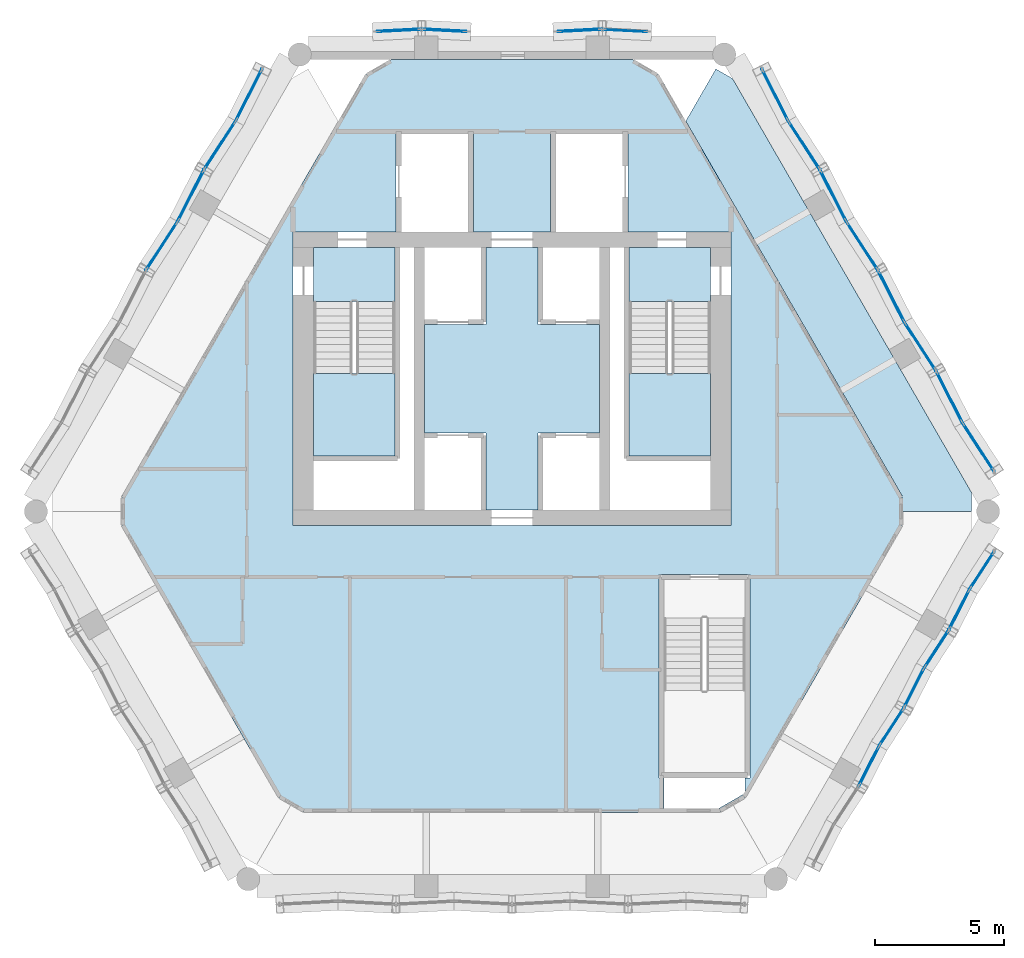
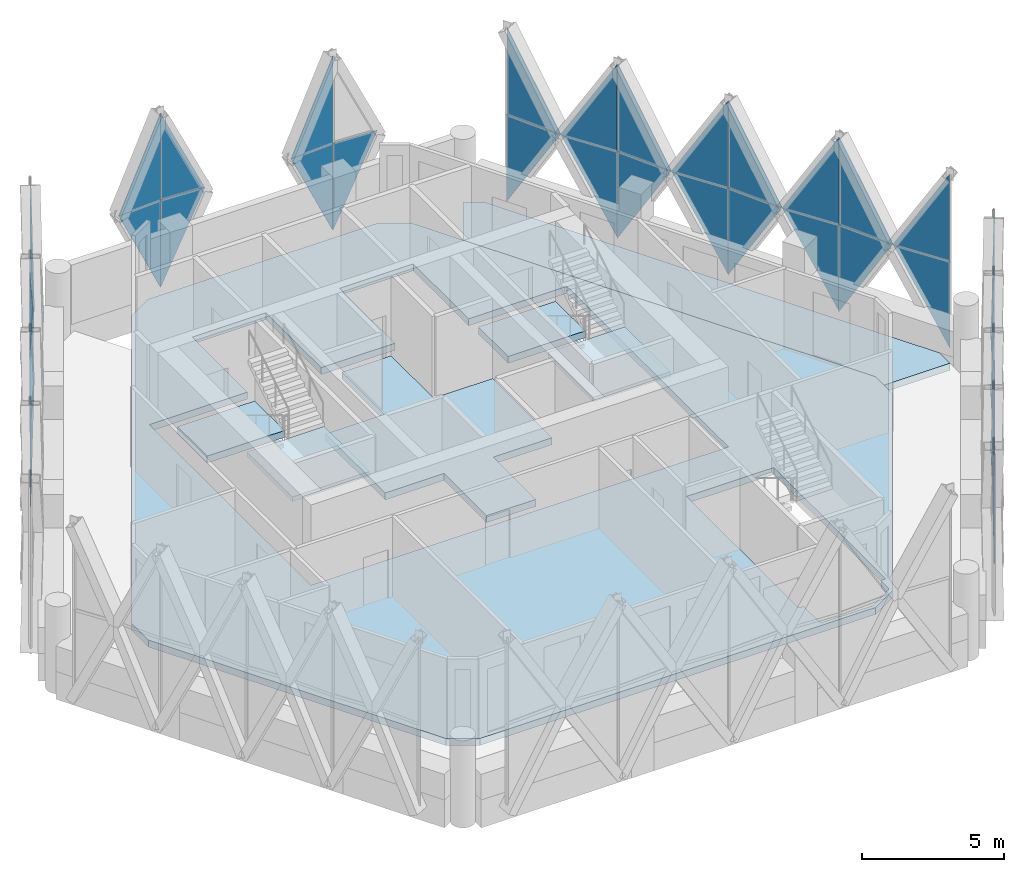
# One storey, part 17 of 27: 43 plates, 7 slabs, 18 elements without a shape of their own.
"""IFC4 building model written with IfcOpenShell, lengths in metres."""

from ifc_helpers import new_model, si_unit, direction, frame, origin, place, context, subcontext, project, spatial, polyline, outline, extrude, material, layer, layer_set, type_object, element, aggregate, save


model = new_model("IFC4")

# Units and contexts
model_context = context("Model", 3, precision=1e-05, world=origin(), true_north=direction((0.0, 1.0)))
body_context = subcontext(model_context, "Body", "Model", "MODEL_VIEW")
ifc_project = project(units=[si_unit("LENGTHUNIT", "METRE"), si_unit("AREAUNIT", "SQUARE_METRE"), si_unit("VOLUMEUNIT", "CUBIC_METRE"), si_unit("PLANEANGLEUNIT", "RADIAN"), si_unit("MASSUNIT", "GRAM", prefix="KILO")], contexts=[model_context])

# Site, building, storey
site_placement = place(None, origin())
site = spatial("IfcSite", under=ifc_project, at=site_placement, CompositionType="ELEMENT")
building_placement = place(site_placement, origin())
building = spatial("IfcBuilding", under=site, at=building_placement, Name="Ostrander Bayou Hotel Tower", CompositionType="ELEMENT")
storey_placement = place(building_placement, frame((0.0, 0.0, 267.5)))
storey = spatial("IfcBuildingStorey", under=building, at=storey_placement, Name="L66", CompositionType="ELEMENT", Elevation=267.5)

# Curtain wall, plate
ifc_material_1 = material(Name="Aluminium and clear glass", Category="aluminium")
curtain_wall_type = type_object("IfcCurtainWallType", Name="CW-LAT lattice glazing", PredefinedType="NOTDEFINED", material=ifc_material_1)
curtain_wall_1_placement = place(storey_placement, origin())
curtain_wall_1 = element("IfcCurtainWall", 1, at=curtain_wall_1_placement, inside=storey, type_object=curtain_wall_type, Name="CW-LAT L66 N 1", PredefinedType="NOTDEFINED")
ifc_material_2 = material(Name="Clear laminated glass", Category="glass")
ifc_layer_1 = layer(ifc_material_2, 0.028076171875)
ifc_layer_set_1 = layer_set([ifc_layer_1], Name="CW-LA glazing panel 28 mm")
plate_type = type_object("IfcPlateType", Name="CW-LA glazing panel 28 mm", PredefinedType="CURTAIN_PANEL", material=ifc_layer_set_1)
plate_1_placement = place(storey_placement, frame((5.262939453125, 17.47802734375, 3.14990234375), z_axis=(0.052391072232, 0.998626644723, 0.0), x_axis=(-0.423652222488, 0.022226118547, -0.905552203926)))
plate_1 = element("IfcPlate", 2, at=plate_1_placement, type_object=plate_type, Name="CW-LAT panel 1", PredefinedType="CURTAIN_PANEL", context=body_context, shape_type="SweptSolid", body=[
    extrude(outline(polyline([(0.0, 0.0), (4.141119621531983, 2.220446049250313e-16), (0.7452988568090202, 1.5908806787048353), (0.0, 0.0)])), origin(), (0.0, 0.0, -1.0), 0.028076171875),
])

curtain_wall_2_placement = place(storey_placement, origin())
curtain_wall_2 = element("IfcCurtainWall", 3, at=curtain_wall_2_placement, inside=storey, type_object=curtain_wall_type, Name="CW-LAT L66 N 3", PredefinedType="NOTDEFINED")
plate_2_placement = place(storey_placement, frame((1.75439453125, 17.47802734375, 3.14990234375), z_axis=(0.052398343942, -0.9986262632, 0.0), x_axis=(0.423603846808, 0.02222667366, -0.905574820734)))
plate_2 = element("IfcPlate", 4, at=plate_2_placement, type_object=plate_type, Name="CW-LAT panel 3", PredefinedType="CURTAIN_PANEL", context=body_context, shape_type="SweptSolid", body=[
    extrude(outline(polyline([(0.0, 0.0), (4.141016196718763, 0.0), (0.7451106189664284, 1.5906996281481265), (0.0, 0.0)])), origin(), (0.0, 0.0, -1.0), 0.028076171875),
])

curtain_wall_3_placement = place(storey_placement, origin())
curtain_wall_3 = element("IfcCurtainWall", 5, at=curtain_wall_3_placement, inside=storey, type_object=curtain_wall_type, Name="CW-LAT L66 N 4", PredefinedType="NOTDEFINED")
plate_3_placement = place(storey_placement, frame((1.75439453125, 17.47802734375, 3.14990234375), z_axis=(-0.052398343942, 0.9986262632, 0.0), x_axis=(0.423603846808, 0.02222667366, 0.905574820734)))
plate_3 = element("IfcPlate", 6, at=plate_3_placement, type_object=plate_type, Name="CW-LAT panel 4", PredefinedType="CURTAIN_PANEL", context=body_context, shape_type="SweptSolid", body=[
    extrude(outline(polyline([(0.0, 0.0), (4.141016196718763, 0.0), (0.7451106189664284, 1.5906996281481265), (0.0, 0.0)])), origin(), (0.0, 0.0, -1.0), 0.028076171875),
])

# Plate
plate_4_placement = place(storey_placement, frame((-1.75439453125, 17.47802734375, 3.14990234375), z_axis=(0.052398343942, 0.9986262632, 0.0), x_axis=(-0.423603846808, 0.02222667366, -0.905574820734)))
plate_4 = element("IfcPlate", 7, at=plate_4_placement, type_object=plate_type, Name="CW-LAT panel 5", PredefinedType="CURTAIN_PANEL", context=body_context, shape_type="SweptSolid", body=[
    extrude(outline(polyline([(0.0, 0.0), (4.141016196718763, 0.0), (0.7451106189664284, 1.5906996281481265), (0.0, 0.0)])), origin(), (0.0, 0.0, -1.0), 0.028076171875),
])

aggregate(curtain_wall_1, [plate_1, plate_4])

# Curtain wall, plate
curtain_wall_4_placement = place(storey_placement, origin())
curtain_wall_4 = element("IfcCurtainWall", 8, at=curtain_wall_4_placement, inside=storey, type_object=curtain_wall_type, Name="CW-LAT L66 N 2", PredefinedType="NOTDEFINED")
plate_5_placement = place(storey_placement, frame((-1.75439453125, 17.47802734375, 3.14990234375), z_axis=(-0.052398343942, -0.9986262632, 0.0), x_axis=(-0.423603846808, 0.02222667366, 0.905574820734)))
plate_5 = element("IfcPlate", 9, at=plate_5_placement, type_object=plate_type, Name="CW-LAT panel 6", PredefinedType="CURTAIN_PANEL", context=body_context, shape_type="SweptSolid", body=[
    extrude(outline(polyline([(0.0, 0.0), (4.141016196718763, 0.0), (0.7451106189664284, 1.5906996281481265), (0.0, 0.0)])), origin(), (0.0, 0.0, -1.0), 0.028076171875),
])
aggregate(curtain_wall_4, [plate_5])

# Plate
plate_6_placement = place(storey_placement, frame((-5.262939453125, 17.47802734375, 3.14990234375), z_axis=(0.052391072232, -0.998626644723, 0.0), x_axis=(0.423652222488, 0.022226118547, -0.905552203926)))
plate_6 = element("IfcPlate", 10, at=plate_6_placement, type_object=plate_type, Name="CW-LAT panel 7", PredefinedType="CURTAIN_PANEL", context=body_context, shape_type="SweptSolid", body=[
    extrude(outline(polyline([(0.0, 0.0), (4.141119621531983, 2.220446049250313e-16), (0.7452988568090202, 1.5908806787048353), (0.0, 0.0)])), origin(), (0.0, 0.0, -1.0), 0.028076171875),
])

aggregate(curtain_wall_2, [plate_2, plate_6])

plate_7_placement = place(storey_placement, frame((-5.262939453125, 17.47802734375, 3.14990234375), z_axis=(-0.052391072232, 0.998626644723, 0.0), x_axis=(0.423652222488, 0.022226118547, 0.905552203926)))
plate_7 = element("IfcPlate", 11, at=plate_7_placement, type_object=plate_type, Name="CW-LAT panel 8", PredefinedType="CURTAIN_PANEL", context=body_context, shape_type="SweptSolid", body=[
    extrude(outline(polyline([(0.0, 0.0), (4.141119621531983, 2.220446049250313e-16), (0.7452988568090202, 1.5908806787048353), (0.0, 0.0)])), origin(), (0.0, 0.0, -1.0), 0.028076171875),
])

aggregate(curtain_wall_3, [plate_3, plate_7])

# Curtain wall, plate
curtain_wall_5_placement = place(storey_placement, origin())
curtain_wall_5 = element("IfcCurtainWall", 12, at=curtain_wall_5_placement, inside=storey, type_object=curtain_wall_type, Name="CW-LAT L66 NW 3", PredefinedType="NOTDEFINED")
plate_8_placement = place(storey_placement, frame((-10.7294921875, 14.006591796875, 3.14990234375), z_axis=(0.891006490481, -0.453990565894, 0.0), x_axis=(0.234192014113, 0.459627622839, -0.856677622475)))
plate_8 = element("IfcPlate", 13, at=plate_8_placement, type_object=plate_type, Name="CW-LAT panel 1", PredefinedType="CURTAIN_PANEL", context=body_context, shape_type="SweptSolid", body=[
    extrude(outline(polyline([(0.0, 0.0), (4.377375924875373, 0.0), (1.1648348405954414, 1.9344456006343318), (0.0, 0.0)])), origin(), (0.0, 0.0, -1.0), 0.028076171875),
])

curtain_wall_6_placement = place(storey_placement, origin())
curtain_wall_6 = element("IfcCurtainWall", 14, at=curtain_wall_6_placement, inside=storey, type_object=curtain_wall_type, Name="CW-LAT L66 NW 4", PredefinedType="NOTDEFINED")
plate_9_placement = place(storey_placement, frame((-10.7294921875, 14.006591796875, 3.14990234375), z_axis=(-0.891006490481, 0.453990565894, 0.0), x_axis=(0.234192014113, 0.459627622839, 0.856677622475)))
plate_9 = element("IfcPlate", 15, at=plate_9_placement, type_object=plate_type, Name="CW-LAT panel 2", PredefinedType="CURTAIN_PANEL", context=body_context, shape_type="SweptSolid", body=[
    extrude(outline(polyline([(0.0, 0.0), (4.377375924875373, 0.0), (1.1648348405954414, 1.9344456006343318), (0.0, 0.0)])), origin(), (0.0, 0.0, -1.0), 0.028076171875),
])

curtain_wall_7_placement = place(storey_placement, origin())
curtain_wall_7 = element("IfcCurtainWall", 16, at=curtain_wall_7_placement, inside=storey, type_object=curtain_wall_type, Name="CW-LAT L66 NW 1", PredefinedType="NOTDEFINED")
plate_10_placement = place(storey_placement, frame((-10.7294921875, 14.006591796875, 3.14990234375), z_axis=(-0.838675708684, 0.54463111889, 0.0), x_axis=(-0.280976041786, -0.43267410325, -0.856647876504)))
plate_10 = element("IfcPlate", 17, at=plate_10_placement, type_object=plate_type, Name="CW-LAT panel 3", PredefinedType="CURTAIN_PANEL", context=body_context, shape_type="SweptSolid", body=[
    extrude(outline(polyline([(0.0, 0.0), (4.377527923494925, 0.0), (1.1650983866039746, 1.9346308357179152), (0.0, 0.0)])), origin(), (0.0, 0.0, -1.0), 0.028076171875),
])

curtain_wall_8_placement = place(storey_placement, origin())
curtain_wall_8 = element("IfcCurtainWall", 18, at=curtain_wall_8_placement, inside=storey, type_object=curtain_wall_type, Name="CW-LAT L66 NW 2", PredefinedType="NOTDEFINED")
plate_11_placement = place(storey_placement, frame((-10.7294921875, 14.006591796875, 3.14990234375), z_axis=(0.838675708684, -0.54463111889, 0.0), x_axis=(-0.280976041786, -0.43267410325, 0.856647876504)))
plate_11 = element("IfcPlate", 19, at=plate_11_placement, type_object=plate_type, Name="CW-LAT panel 4", PredefinedType="CURTAIN_PANEL", context=body_context, shape_type="SweptSolid", body=[
    extrude(outline(polyline([(0.0, 0.0), (4.377527923494925, 0.0), (1.1650983866039746, 1.9346308357179152), (0.0, 0.0)])), origin(), (0.0, 0.0, -1.0), 0.028076171875),
])

# Plate
plate_12_placement = place(storey_placement, frame((-12.984619140625, 10.1005859375, 3.14990234375), z_axis=(0.891006490481, -0.453990565894, 0.0), x_axis=(0.234192014113, 0.459627622839, -0.856677622475)))
plate_12 = element("IfcPlate", 20, at=plate_12_placement, type_object=plate_type, Name="CW-LAT panel 5", PredefinedType="CURTAIN_PANEL", context=body_context, shape_type="SweptSolid", body=[
    extrude(outline(polyline([(0.0, 0.0), (4.377375924875373, 0.0), (1.1648348405954414, 1.9344456006343318), (0.0, 0.0)])), origin(), (0.0, 0.0, -1.0), 0.028076171875),
])

aggregate(curtain_wall_5, [plate_8, plate_12])

plate_13_placement = place(storey_placement, frame((-12.984619140625, 10.1005859375, 3.14990234375), z_axis=(-0.891006490481, 0.453990565894, 0.0), x_axis=(0.234192014113, 0.459627622839, 0.856677622475)))
plate_13 = element("IfcPlate", 21, at=plate_13_placement, type_object=plate_type, Name="CW-LAT panel 6", PredefinedType="CURTAIN_PANEL", context=body_context, shape_type="SweptSolid", body=[
    extrude(outline(polyline([(0.0, 0.0), (4.377375924875373, 0.0), (1.1648348405954414, 1.9344456006343318), (0.0, 0.0)])), origin(), (0.0, 0.0, -1.0), 0.028076171875),
])

aggregate(curtain_wall_6, [plate_9, plate_13])

plate_14_placement = place(storey_placement, frame((-12.984619140625, 10.1005859375, 3.14990234375), z_axis=(-0.838643637997, 0.544680501254, 0.0), x_axis=(-0.280982821776, -0.432628771043, -0.856668547533)))
plate_14 = element("IfcPlate", 22, at=plate_14_placement, type_object=plate_type, Name="CW-LAT panel 7", PredefinedType="CURTAIN_PANEL", context=body_context, shape_type="SweptSolid", body=[
    extrude(outline(polyline([(0.0, 0.0), (4.377422295702585, 2.220446049250313e-16), (1.1649152424522113, 1.9345021149682418), (0.0, 0.0)])), origin(), (0.0, 0.0, -1.0), 0.028076171875),
])

aggregate(curtain_wall_7, [plate_10, plate_14])

plate_15_placement = place(storey_placement, frame((-12.984619140625, 10.1005859375, 3.14990234375), z_axis=(0.838643637997, -0.544680501254, 0.0), x_axis=(-0.280982821776, -0.432628771043, 0.856668547533)))
plate_15 = element("IfcPlate", 23, at=plate_15_placement, type_object=plate_type, Name="CW-LAT panel 8", PredefinedType="CURTAIN_PANEL", context=body_context, shape_type="SweptSolid", body=[
    extrude(outline(polyline([(0.0, 0.0), (4.377422295702585, 2.220446049250313e-16), (1.1649152424522113, 1.9345021149682418), (0.0, 0.0)])), origin(), (0.0, 0.0, -1.0), 0.028076171875),
])

aggregate(curtain_wall_8, [plate_11, plate_15])

# Curtain wall, plate
curtain_wall_9_placement = place(storey_placement, origin())
curtain_wall_9 = element("IfcCurtainWall", 24, at=curtain_wall_9_placement, inside=storey, type_object=curtain_wall_type, Name="CW-LAT L66 SE 3", PredefinedType="NOTDEFINED")
plate_16_placement = place(storey_placement, frame((14.25927734375, -10.25830078125, 3.14990234375), z_axis=(-0.891038436196, 0.453927863456, 0.0), x_axis=(-0.192552120059, -0.37797049654, -0.905572738551)))
plate_16 = element("IfcPlate", 25, at=plate_16_placement, type_object=plate_type, Name="CW-LAT panel 5", PredefinedType="CURTAIN_PANEL", context=body_context, shape_type="SweptSolid", body=[
    extrude(outline(polyline([(0.0, 0.0), (4.141025718156332, -2.220446049250313e-16), (0.7451279485909421, 1.590716297351861), (0.0, 0.0)])), origin(), (0.0, 0.0, -1.0), 0.028076171875),
])

curtain_wall_10_placement = place(storey_placement, origin())
curtain_wall_10 = element("IfcCurtainWall", 26, at=curtain_wall_10_placement, inside=storey, type_object=curtain_wall_type, Name="CW-LAT L66 SE 4", PredefinedType="NOTDEFINED")
plate_17_placement = place(storey_placement, frame((14.25927734375, -10.25830078125, 3.14990234375), z_axis=(0.891038436196, -0.453927863456, 0.0), x_axis=(-0.192552120059, -0.37797049654, 0.905572738551)))
plate_17 = element("IfcPlate", 27, at=plate_17_placement, type_object=plate_type, Name="CW-LAT panel 6", PredefinedType="CURTAIN_PANEL", context=body_context, shape_type="SweptSolid", body=[
    extrude(outline(polyline([(0.0, 0.0), (4.141025718156332, -2.220446049250313e-16), (0.7451279485909421, 1.590716297351861), (0.0, 0.0)])), origin(), (0.0, 0.0, -1.0), 0.028076171875),
])

curtain_wall_11_placement = place(storey_placement, origin())
curtain_wall_11 = element("IfcCurtainWall", 28, at=curtain_wall_11_placement, inside=storey, type_object=curtain_wall_type, Name="CW-LAT L66 SE 1", PredefinedType="NOTDEFINED")
plate_18_placement = place(storey_placement, frame((14.25927734375, -10.25830078125, 3.14990234375), z_axis=(0.838681665228, -0.544621946318, 0.0), x_axis=(0.231045890521, 0.35579534302, -0.905553681655)))
plate_18 = element("IfcPlate", 29, at=plate_18_placement, type_object=plate_type, Name="CW-LAT panel 7", PredefinedType="CURTAIN_PANEL", context=body_context, shape_type="SweptSolid", body=[
    extrude(outline(polyline([(0.0, 0.0), (4.141112863841765, 0.0), (0.7452865576362313, 1.5908688500572514), (0.0, 0.0)])), origin(), (0.0, 0.0, -1.0), 0.028076171875),
])

curtain_wall_12_placement = place(storey_placement, origin())
curtain_wall_12 = element("IfcCurtainWall", 30, at=curtain_wall_12_placement, inside=storey, type_object=curtain_wall_type, Name="CW-LAT L66 SE 2", PredefinedType="NOTDEFINED")
plate_19_placement = place(storey_placement, frame((14.25927734375, -10.25830078125, 3.14990234375), z_axis=(-0.838681665228, 0.544621946318, 0.0), x_axis=(0.231045890521, 0.35579534302, 0.905553681655)))
plate_19 = element("IfcPlate", 31, at=plate_19_placement, type_object=plate_type, Name="CW-LAT panel 8", PredefinedType="CURTAIN_PANEL", context=body_context, shape_type="SweptSolid", body=[
    extrude(outline(polyline([(0.0, 0.0), (4.141112863841765, 0.0), (0.7452865576362313, 1.5908688500572514), (0.0, 0.0)])), origin(), (0.0, 0.0, -1.0), 0.028076171875),
])

# Plate
plate_20_placement = place(storey_placement, frame((16.013671875, -7.2197265625, 3.14990234375), z_axis=(-0.890982217687, 0.454038200777, 0.0), x_axis=(-0.192608889759, -0.377966205155, -0.9055624569)))
plate_20 = element("IfcPlate", 32, at=plate_20_placement, type_object=plate_type, Name="CW-LAT panel 9", PredefinedType="CURTAIN_PANEL", context=body_context, shape_type="SweptSolid", body=[
    extrude(outline(polyline([(0.0, 0.0), (4.141072734881202, 0.0), (0.7452135215067667, 1.5907986053991756), (0.0, 0.0)])), origin(), (0.0, 0.0, -1.0), 0.028076171875),
])

plate_21_placement = place(storey_placement, frame((16.013671875, -7.2197265625, 3.14990234375), z_axis=(0.890982217687, -0.454038200777, 0.0), x_axis=(-0.192608889759, -0.377966205155, 0.9055624569)))
plate_21 = element("IfcPlate", 33, at=plate_21_placement, type_object=plate_type, Name="CW-LAT panel 10", PredefinedType="CURTAIN_PANEL", context=body_context, shape_type="SweptSolid", body=[
    extrude(outline(polyline([(0.0, 0.0), (4.141072734881202, 0.0), (0.7452135215067667, 1.5907986053991756), (0.0, 0.0)])), origin(), (0.0, 0.0, -1.0), 0.028076171875),
])

plate_22_placement = place(storey_placement, frame((16.013671875, -7.2197265625, 3.14990234375), z_axis=(0.838640437815, -0.544685428538, 0.0), x_axis=(0.231050736697, 0.355743849255, -0.905572675598)))
plate_22 = element("IfcPlate", 34, at=plate_22_placement, type_object=plate_type, Name="CW-LAT panel 11", PredefinedType="CURTAIN_PANEL", context=body_context, shape_type="SweptSolid", body=[
    extrude(outline(polyline([(0.0, 0.0), (4.141026006030143, -2.220446049250313e-16), (0.7451284725391051, 1.5907168013287247), (0.0, 0.0)])), origin(), (0.0, 0.0, -1.0), 0.028076171875),
])

plate_23_placement = place(storey_placement, frame((16.013671875, -7.2197265625, 3.14990234375), z_axis=(-0.838640437815, 0.544685428538, 0.0), x_axis=(0.231050736697, 0.355743849255, 0.905572675598)))
plate_23 = element("IfcPlate", 35, at=plate_23_placement, type_object=plate_type, Name="CW-LAT panel 12", PredefinedType="CURTAIN_PANEL", context=body_context, shape_type="SweptSolid", body=[
    extrude(outline(polyline([(0.0, 0.0), (4.141026006030143, -2.220446049250313e-16), (0.7451284725391051, 1.5907168013287247), (0.0, 0.0)])), origin(), (0.0, 0.0, -1.0), 0.028076171875),
])

plate_24_placement = place(storey_placement, frame((17.767822265625, -4.181396484375, 3.14990234375), z_axis=(-0.891038436196, 0.453927863456, 0.0), x_axis=(-0.192552120059, -0.37797049654, -0.905572738551)))
plate_24 = element("IfcPlate", 36, at=plate_24_placement, type_object=plate_type, Name="CW-LAT panel 13", PredefinedType="CURTAIN_PANEL", context=body_context, shape_type="SweptSolid", body=[
    extrude(outline(polyline([(0.0, 0.0), (4.141025718156332, -2.220446049250313e-16), (0.7451279485909421, 1.590716297351861), (0.0, 0.0)])), origin(), (0.0, 0.0, -1.0), 0.028076171875),
])

aggregate(curtain_wall_9, [plate_16, plate_20, plate_24])

plate_25_placement = place(storey_placement, frame((17.767822265625, -4.181396484375, 3.14990234375), z_axis=(0.891038436196, -0.453927863456, 0.0), x_axis=(-0.192552120059, -0.37797049654, 0.905572738551)))
plate_25 = element("IfcPlate", 37, at=plate_25_placement, type_object=plate_type, Name="CW-LAT panel 14", PredefinedType="CURTAIN_PANEL", context=body_context, shape_type="SweptSolid", body=[
    extrude(outline(polyline([(0.0, 0.0), (4.141025718156332, -2.220446049250313e-16), (0.7451279485909421, 1.590716297351861), (0.0, 0.0)])), origin(), (0.0, 0.0, -1.0), 0.028076171875),
])

aggregate(curtain_wall_10, [plate_17, plate_21, plate_25])

plate_26_placement = place(storey_placement, frame((17.767822265625, -4.181396484375, 3.14990234375), z_axis=(0.838681665228, -0.544621946318, 0.0), x_axis=(0.231045890521, 0.35579534302, -0.905553681655)))
plate_26 = element("IfcPlate", 38, at=plate_26_placement, type_object=plate_type, Name="CW-LAT panel 15", PredefinedType="CURTAIN_PANEL", context=body_context, shape_type="SweptSolid", body=[
    extrude(outline(polyline([(0.0, 0.0), (4.141112863841765, 0.0), (0.7452865576362313, 1.5908688500572514), (0.0, 0.0)])), origin(), (0.0, 0.0, -1.0), 0.028076171875),
])

aggregate(curtain_wall_11, [plate_18, plate_22, plate_26])

plate_27_placement = place(storey_placement, frame((17.767822265625, -4.181396484375, 3.14990234375), z_axis=(-0.838681665228, 0.544621946318, 0.0), x_axis=(0.231045890521, 0.35579534302, 0.905553681655)))
plate_27 = element("IfcPlate", 39, at=plate_27_placement, type_object=plate_type, Name="CW-LAT panel 16", PredefinedType="CURTAIN_PANEL", context=body_context, shape_type="SweptSolid", body=[
    extrude(outline(polyline([(0.0, 0.0), (4.141112863841765, 0.0), (0.7452865576362313, 1.5908688500572514), (0.0, 0.0)])), origin(), (0.0, 0.0, -1.0), 0.028076171875),
])

aggregate(curtain_wall_12, [plate_19, plate_23, plate_27])

# Curtain wall, plate
curtain_wall_13_placement = place(storey_placement, origin())
curtain_wall_13 = element("IfcCurtainWall", 40, at=curtain_wall_13_placement, inside=storey, type_object=curtain_wall_type, Name="CW-LAT L66 NE 3", PredefinedType="NOTDEFINED")
plate_28_placement = place(storey_placement, frame((17.494873046875, 2.288818359375, 3.14990234375), z_axis=(-0.838693023355, -0.544604455155, 0.0), x_axis=(0.280931451205, -0.432635550328, -0.856681971514)))
plate_28 = element("IfcPlate", 41, at=plate_28_placement, type_object=plate_type, Name="CW-LAT panel 1", PredefinedType="CURTAIN_PANEL", context=body_context, shape_type="SweptSolid", body=[
    extrude(outline(polyline([(0.0, 0.0), (4.377353702651636, 0.0), (1.1647963094756009, 1.9344185161308818), (0.0, 0.0)])), origin(), (0.0, 0.0, -1.0), 0.028076171875),
])

curtain_wall_14_placement = place(storey_placement, origin())
curtain_wall_14 = element("IfcCurtainWall", 42, at=curtain_wall_14_placement, inside=storey, type_object=curtain_wall_type, Name="CW-LAT L66 NE 4", PredefinedType="NOTDEFINED")
plate_29_placement = place(storey_placement, frame((17.494873046875, 2.288818359375, 3.14990234375), z_axis=(0.838693023355, 0.544604455155, 0.0), x_axis=(0.280931451205, -0.432635550328, 0.856681971514)))
plate_29 = element("IfcPlate", 43, at=plate_29_placement, type_object=plate_type, Name="CW-LAT panel 2", PredefinedType="CURTAIN_PANEL", context=body_context, shape_type="SweptSolid", body=[
    extrude(outline(polyline([(0.0, 0.0), (4.377353702651636, 0.0), (1.1647963094756009, 1.9344185161308818), (0.0, 0.0)])), origin(), (0.0, 0.0, -1.0), 0.028076171875),
])

curtain_wall_15_placement = place(storey_placement, origin())
curtain_wall_15 = element("IfcCurtainWall", 44, at=curtain_wall_15_placement, inside=storey, type_object=curtain_wall_type, Name="CW-LAT L66 NE 1", PredefinedType="NOTDEFINED")
plate_30_placement = place(storey_placement, frame((17.494873046875, 2.288818359375, 3.14990234375), z_axis=(0.890962753542, 0.454076394233, 0.0), x_axis=(-0.234244727427, 0.459621618744, -0.856666431732)))
plate_30 = element("IfcPlate", 45, at=plate_30_placement, type_object=plate_type, Name="CW-LAT panel 3", PredefinedType="CURTAIN_PANEL", context=body_context, shape_type="SweptSolid", body=[
    extrude(outline(polyline([(0.0, 0.0), (4.377433107094841, 2.220446049250313e-16), (1.164933988100235, 1.9345152908309822), (0.0, 0.0)])), origin(), (0.0, 0.0, -1.0), 0.028076171875),
])

curtain_wall_16_placement = place(storey_placement, origin())
curtain_wall_16 = element("IfcCurtainWall", 46, at=curtain_wall_16_placement, inside=storey, type_object=curtain_wall_type, Name="CW-LAT L66 NE 2", PredefinedType="NOTDEFINED")
plate_31_placement = place(storey_placement, frame((17.494873046875, 2.288818359375, 3.14990234375), z_axis=(-0.890962753542, -0.454076394233, 0.0), x_axis=(-0.234244727427, 0.459621618744, 0.856666431732)))
plate_31 = element("IfcPlate", 47, at=plate_31_placement, type_object=plate_type, Name="CW-LAT panel 4", PredefinedType="CURTAIN_PANEL", context=body_context, shape_type="SweptSolid", body=[
    extrude(outline(polyline([(0.0, 0.0), (4.377433107094841, 2.220446049250313e-16), (1.164933988100235, 1.9345152908309822), (0.0, 0.0)])), origin(), (0.0, 0.0, -1.0), 0.028076171875),
])

# Plate
plate_32_placement = place(storey_placement, frame((15.23974609375, 6.194580078125, 3.14990234375), z_axis=(-0.838693023355, -0.544604455155, 0.0), x_axis=(0.280931451205, -0.432635550328, -0.856681971514)))
plate_32 = element("IfcPlate", 48, at=plate_32_placement, type_object=plate_type, Name="CW-LAT panel 5", PredefinedType="CURTAIN_PANEL", context=body_context, shape_type="SweptSolid", body=[
    extrude(outline(polyline([(0.0, 0.0), (4.377353702651636, 0.0), (1.1647963094756009, 1.9344185161308818), (0.0, 0.0)])), origin(), (0.0, 0.0, -1.0), 0.028076171875),
])

plate_33_placement = place(storey_placement, frame((15.23974609375, 6.194580078125, 3.14990234375), z_axis=(0.838693023355, 0.544604455155, 0.0), x_axis=(0.280931451205, -0.432635550328, 0.856681971514)))
plate_33 = element("IfcPlate", 49, at=plate_33_placement, type_object=plate_type, Name="CW-LAT panel 6", PredefinedType="CURTAIN_PANEL", context=body_context, shape_type="SweptSolid", body=[
    extrude(outline(polyline([(0.0, 0.0), (4.377353702651636, 0.0), (1.1647963094756009, 1.9344185161308818), (0.0, 0.0)])), origin(), (0.0, 0.0, -1.0), 0.028076171875),
])

plate_34_placement = place(storey_placement, frame((15.23974609375, 6.194580078125, 3.14990234375), z_axis=(0.891028771336, 0.453946834608, 0.0), x_axis=(-0.234186010481, 0.459671611903, -0.856655661106)))
plate_34 = element("IfcPlate", 50, at=plate_34_placement, type_object=plate_type, Name="CW-LAT panel 7", PredefinedType="CURTAIN_PANEL", context=body_context, shape_type="SweptSolid", body=[
    extrude(outline(polyline([(0.0, 0.0), (4.377488144020308, 4.440892098500626e-16), (1.1650294148722888, 1.934582361524237), (0.0, 0.0)])), origin(), (0.0, 0.0, -1.0), 0.028076171875),
])

plate_35_placement = place(storey_placement, frame((15.23974609375, 6.194580078125, 3.14990234375), z_axis=(-0.891028771336, -0.453946834608, 0.0), x_axis=(-0.234186010481, 0.459671611903, 0.856655661106)))
plate_35 = element("IfcPlate", 51, at=plate_35_placement, type_object=plate_type, Name="CW-LAT panel 8", PredefinedType="CURTAIN_PANEL", context=body_context, shape_type="SweptSolid", body=[
    extrude(outline(polyline([(0.0, 0.0), (4.377488144020308, 4.440892098500626e-16), (1.1650294148722888, 1.934582361524237), (0.0, 0.0)])), origin(), (0.0, 0.0, -1.0), 0.028076171875),
])

plate_36_placement = place(storey_placement, frame((12.984619140625, 10.1005859375, 3.14990234375), z_axis=(-0.838643637997, -0.544680501254, 0.0), x_axis=(0.280982821776, -0.432628771043, -0.856668547533)))
plate_36 = element("IfcPlate", 52, at=plate_36_placement, type_object=plate_type, Name="CW-LAT panel 9", PredefinedType="CURTAIN_PANEL", context=body_context, shape_type="SweptSolid", body=[
    extrude(outline(polyline([(0.0, 0.0), (4.377422295702585, 2.220446049250313e-16), (1.1649152424522113, 1.9345021149682418), (0.0, 0.0)])), origin(), (0.0, 0.0, -1.0), 0.028076171875),
])

plate_37_placement = place(storey_placement, frame((12.984619140625, 10.1005859375, 3.14990234375), z_axis=(0.838643637997, 0.544680501254, 0.0), x_axis=(0.280982821776, -0.432628771043, 0.856668547533)))
plate_37 = element("IfcPlate", 53, at=plate_37_placement, type_object=plate_type, Name="CW-LAT panel 10", PredefinedType="CURTAIN_PANEL", context=body_context, shape_type="SweptSolid", body=[
    extrude(outline(polyline([(0.0, 0.0), (4.377422295702585, 2.220446049250313e-16), (1.1649152424522113, 1.9345021149682418), (0.0, 0.0)])), origin(), (0.0, 0.0, -1.0), 0.028076171875),
])

plate_38_placement = place(storey_placement, frame((12.984619140625, 10.1005859375, 3.14990234375), z_axis=(0.891006490481, 0.453990565894, 0.0), x_axis=(-0.234192014113, 0.459627622839, -0.856677622475)))
plate_38 = element("IfcPlate", 54, at=plate_38_placement, type_object=plate_type, Name="CW-LAT panel 11", PredefinedType="CURTAIN_PANEL", context=body_context, shape_type="SweptSolid", body=[
    extrude(outline(polyline([(0.0, 0.0), (4.377375924875373, 0.0), (1.1648348405954414, 1.9344456006343318), (0.0, 0.0)])), origin(), (0.0, 0.0, -1.0), 0.028076171875),
])

plate_39_placement = place(storey_placement, frame((12.984619140625, 10.1005859375, 3.14990234375), z_axis=(-0.891006490481, -0.453990565894, 0.0), x_axis=(-0.234192014113, 0.459627622839, 0.856677622475)))
plate_39 = element("IfcPlate", 55, at=plate_39_placement, type_object=plate_type, Name="CW-LAT panel 12", PredefinedType="CURTAIN_PANEL", context=body_context, shape_type="SweptSolid", body=[
    extrude(outline(polyline([(0.0, 0.0), (4.377375924875373, 0.0), (1.1648348405954414, 1.9344456006343318), (0.0, 0.0)])), origin(), (0.0, 0.0, -1.0), 0.028076171875),
])

plate_40_placement = place(storey_placement, frame((10.7294921875, 14.006591796875, 3.14990234375), z_axis=(-0.838675708684, -0.54463111889, 0.0), x_axis=(0.280976041786, -0.43267410325, -0.856647876504)))
plate_40 = element("IfcPlate", 56, at=plate_40_placement, type_object=plate_type, Name="CW-LAT panel 13", PredefinedType="CURTAIN_PANEL", context=body_context, shape_type="SweptSolid", body=[
    extrude(outline(polyline([(0.0, 0.0), (4.377527923494925, 0.0), (1.1650983866039746, 1.9346308357179152), (0.0, 0.0)])), origin(), (0.0, 0.0, -1.0), 0.028076171875),
])

aggregate(curtain_wall_13, [plate_28, plate_32, plate_36, plate_40])

plate_41_placement = place(storey_placement, frame((10.7294921875, 14.006591796875, 3.14990234375), z_axis=(0.838675708684, 0.54463111889, 0.0), x_axis=(0.280976041786, -0.43267410325, 0.856647876504)))
plate_41 = element("IfcPlate", 57, at=plate_41_placement, type_object=plate_type, Name="CW-LAT panel 14", PredefinedType="CURTAIN_PANEL", context=body_context, shape_type="SweptSolid", body=[
    extrude(outline(polyline([(0.0, 0.0), (4.377527923494925, 0.0), (1.1650983866039746, 1.9346308357179152), (0.0, 0.0)])), origin(), (0.0, 0.0, -1.0), 0.028076171875),
])

aggregate(curtain_wall_14, [plate_29, plate_33, plate_37, plate_41])

plate_42_placement = place(storey_placement, frame((10.7294921875, 14.006591796875, 3.14990234375), z_axis=(0.891006490481, 0.453990565894, 0.0), x_axis=(-0.234192014113, 0.459627622839, -0.856677622475)))
plate_42 = element("IfcPlate", 58, at=plate_42_placement, type_object=plate_type, Name="CW-LAT panel 15", PredefinedType="CURTAIN_PANEL", context=body_context, shape_type="SweptSolid", body=[
    extrude(outline(polyline([(0.0, 0.0), (4.377375924875373, 0.0), (1.1648348405954414, 1.9344456006343318), (0.0, 0.0)])), origin(), (0.0, 0.0, -1.0), 0.028076171875),
])

aggregate(curtain_wall_15, [plate_30, plate_34, plate_38, plate_42])

plate_43_placement = place(storey_placement, frame((10.7294921875, 14.006591796875, 3.14990234375), z_axis=(-0.891006490481, -0.453990565894, 0.0), x_axis=(-0.234192014113, 0.459627622839, 0.856677622475)))
plate_43 = element("IfcPlate", 59, at=plate_43_placement, type_object=plate_type, Name="CW-LAT panel 16", PredefinedType="CURTAIN_PANEL", context=body_context, shape_type="SweptSolid", body=[
    extrude(outline(polyline([(0.0, 0.0), (4.377375924875373, 0.0), (1.1648348405954414, 1.9344456006343318), (0.0, 0.0)])), origin(), (0.0, 0.0, -1.0), 0.028076171875),
])

aggregate(curtain_wall_16, [plate_31, plate_35, plate_39, plate_43])

# Slabs
ifc_material_3 = material(Name="Concrete f'c 40 MPa", Category="concrete")
ifc_layer_2 = layer(ifc_material_3, 0.300048828125)
ifc_layer_set_2 = layer_set([ifc_layer_2], Name="SL1 floor slab 300 mm f'c 40 MPa")
slab_type_1 = type_object("IfcSlabType", Name="SL1 floor slab 300 mm f'c 40 MPa", PredefinedType="FLOOR", material=ifc_layer_set_2)
slab_1_placement = place(storey_placement, frame((0.0, 0.0, -0.300048828125)))
element("IfcSlab", 60, at=slab_1_placement, inside=storey, type_object=slab_type_1, Name="SL1 L66 1", PredefinedType="FLOOR", context=body_context, shape_type="SweptSolid", body=[
    extrude(outline(polyline([(-2.909423828125, 16.39990234375), (2.909423828125, 16.39990234375), (3.74951171875, 16.39990234375), (4.669189453125, 16.39990234375), (5.708251953125, 15.800048828125), (15.151611328125, -0.556396484375), (15.151611328125, -1.756591796875), (9.096923828125, -12.243408203125), (8.057861328125, -12.843505859375), (-8.057861328125, -12.843505859375), (-9.096923828125, -12.243408203125), (-15.151611328125, -1.756591796875), (-15.151611328125, -0.556396484375), (-5.708251953125, 15.800048828125), (-4.669189453125, 16.39990234375), (-3.74951171875, 16.39990234375), (-2.909423828125, 16.39990234375)]), holes=[polyline([(9.050048828125, -12.02490234375), (9.050048828125, -11.5), (9.25, -11.5), (9.25, -3.60009765625), (5.699951171875, -3.60009765625), (5.699951171875, -11.5), (5.89990234375, -11.5), (5.89990234375, -12.693603515625), (8.017578125, -12.693603515625), (8.9873046875, -12.1337890625), (9.050048828125, -12.02490234375)]), polyline([(-8.5, -1.699951171875), (8.5, -1.699951171875), (8.5, 9.699951171875), (4.5, 9.699951171875), (4.5, 13.60009765625), (1.5, 13.60009765625), (1.5, 9.699951171875), (-1.5, 9.699951171875), (-1.5, 13.60009765625), (-4.5, 13.60009765625), (-4.5, 9.699951171875), (-8.5, 9.699951171875), (-8.5, -1.699951171875)])]), origin(), (0.0, 0.0, 1.0), 0.300048828125),
])
slab_2_placement = place(storey_placement, frame((0.0, 0.0, -0.300048828125)))
element("IfcSlab", 61, at=slab_2_placement, inside=storey, type_object=slab_type_1, Name="cslab:L66:001", PredefinedType="FLOOR", context=body_context, shape_type="SweptSolid", body=[
    extrude(outline(polyline([(-3.39990234375, 6.10009765625), (-1.0, 6.10009765625), (-1.0, 9.10009765625), (1.0, 9.10009765625), (1.0, 6.10009765625), (3.39990234375, 6.10009765625), (3.39990234375, 1.89990234375), (1.0, 1.89990234375), (1.0, -1.10009765625), (-1.0, -1.10009765625), (-1.0, 1.89990234375), (-3.39990234375, 1.89990234375), (-3.39990234375, 6.10009765625)])), origin(), (0.0, 0.0, 1.0), 0.300048828125),
])
slab_3_placement = place(storey_placement, frame((0.0, 0.0, -0.300048828125)))
element("IfcSlab", 62, at=slab_3_placement, inside=storey, type_object=slab_type_1, Name="cslab:L66:002", PredefinedType="FLOOR", context=body_context, shape_type="SweptSolid", body=[
    extrude(outline(polyline([(-4.550048828125, 7.0), (-4.550048828125, 9.10009765625), (-7.699951171875, 9.10009765625), (-7.699951171875, 7.0), (-4.550048828125, 7.0)])), origin(), (0.0, 0.0, 1.0), 0.300048828125),
])
slab_4_placement = place(storey_placement, frame((0.0, 0.0, -0.300048828125)))
element("IfcSlab", 63, at=slab_4_placement, inside=storey, type_object=slab_type_1, Name="cslab:L66:003", PredefinedType="FLOOR", context=body_context, shape_type="SweptSolid", body=[
    extrude(outline(polyline([(7.699951171875, 7.0), (7.699951171875, 9.10009765625), (4.550048828125, 9.10009765625), (4.550048828125, 7.0), (7.699951171875, 7.0)])), origin(), (0.0, 0.0, 1.0), 0.300048828125),
])
ifc_material_4 = material(Name="Concrete f'c 40 MPa", Category="concrete")
ifc_layer_3 = layer(ifc_material_4, 0.300048828125)
ifc_layer_set_3 = layer_set([ifc_layer_3], Name="SL4 loggia slab 300 mm f'c 40 MPa")
slab_type_2 = type_object("IfcSlabType", Name="SL4 loggia slab 300 mm f'c 40 MPa", PredefinedType="FLOOR", material=ifc_layer_set_3)
slab_5_placement = place(storey_placement, frame((0.0, 0.0, -0.300048828125)))
element("IfcSlab", 64, at=slab_5_placement, inside=storey, type_object=slab_type_2, Name="SL4 LOGGIA L66 NE 1", PredefinedType="FLOOR", context=body_context, shape_type="SweptSolid", body=[
    extrude(outline(polyline([(7.916748046875, 16.02490234375), (8.566162109375, 15.64990234375), (17.83642578125, -0.406494140625), (17.83642578125, -1.156494140625), (15.151611328125, -1.156494140625), (15.151611328125, -0.556396484375), (6.74755859375, 14.0), (7.916748046875, 16.02490234375)])), origin(), (0.0, 0.0, 1.0), 0.300048828125),
])

# Stair, slab
ifc_material_5 = material(Name="Concrete f'c 45 MPa", Category="concrete")
stair_type = type_object("IfcStairType", Name="ST1 exit stair 1500 mm f'c 45 MPa", PredefinedType="HALF_TURN_STAIR", material=ifc_material_5)
stair_1_placement = place(storey_placement, origin())
stair_1 = element("IfcStair", 65, at=stair_1_placement, inside=storey, type_object=stair_type, Name="L66 exit stair A", PredefinedType="HALF_TURN_STAIR")
ifc_material_6 = material(Name="Concrete f'c 45 MPa", Category="concrete")
ifc_layer_4 = layer(ifc_material_6, 0.199951171875)
ifc_layer_set_4 = layer_set([ifc_layer_4], Name="SL8 stair landing 200 mm f'c 45 MPa")
slab_type_3 = type_object("IfcSlabType", Name="SL8 stair landing 200 mm f'c 45 MPa", PredefinedType="LANDING", material=ifc_layer_set_4)
slab_6_placement = place(storey_placement, frame((0.0, 0.0, 1.675048828125)))
slab_6 = element("IfcSlab", 66, at=slab_6_placement, type_object=slab_type_3, Name="STA landing 1", PredefinedType="LANDING", context=body_context, shape_type="SweptSolid", body=[
    extrude(outline(polyline([(-7.699951171875, 4.199951171875), (-7.699951171875, 1.0), (-4.550048828125, 1.0), (-4.550048828125, 4.199951171875), (-7.699951171875, 4.199951171875)])), origin(), (0.0, 0.0, 1.0), 0.199951171875),
])
aggregate(stair_1, [slab_6])

stair_2_placement = place(storey_placement, origin())
stair_2 = element("IfcStair", 67, at=stair_2_placement, inside=storey, type_object=stair_type, Name="L66 exit stair B", PredefinedType="HALF_TURN_STAIR")
slab_7_placement = place(storey_placement, frame((0.0, 0.0, 1.675048828125)))
slab_7 = element("IfcSlab", 68, at=slab_7_placement, type_object=slab_type_3, Name="STB landing 1", PredefinedType="LANDING", context=body_context, shape_type="SweptSolid", body=[
    extrude(outline(polyline([(4.550048828125, 4.199951171875), (4.550048828125, 1.0), (7.699951171875, 1.0), (7.699951171875, 4.199951171875), (4.550048828125, 4.199951171875)])), origin(), (0.0, 0.0, 1.0), 0.199951171875),
])
aggregate(stair_2, [slab_7])

save(model, "model.ifc")
